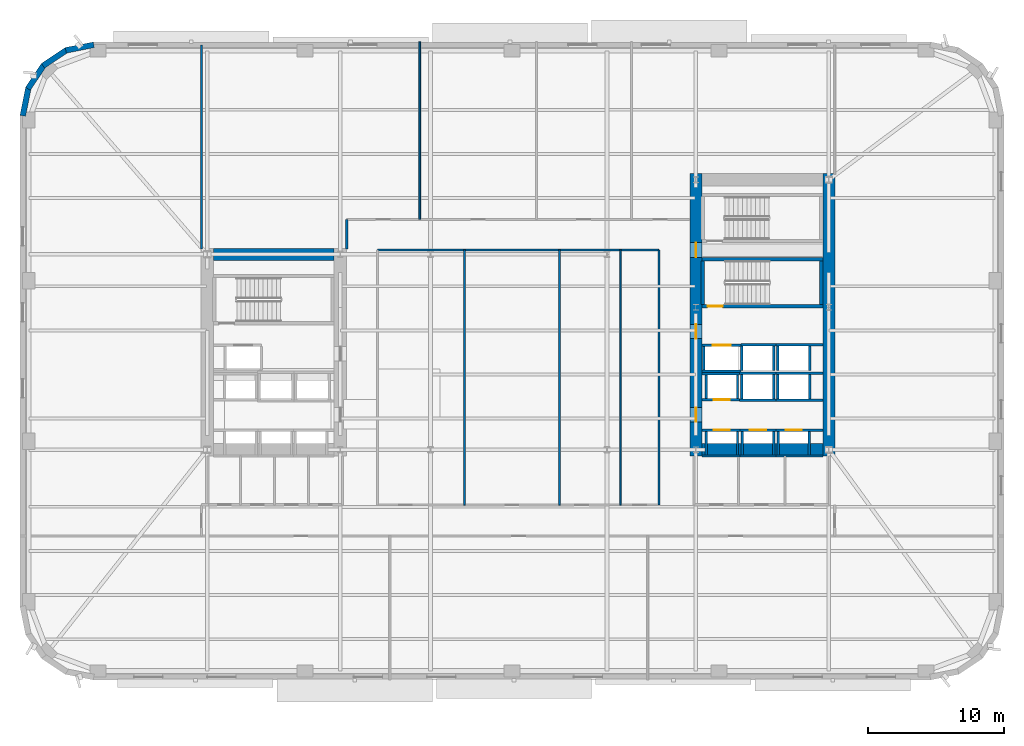
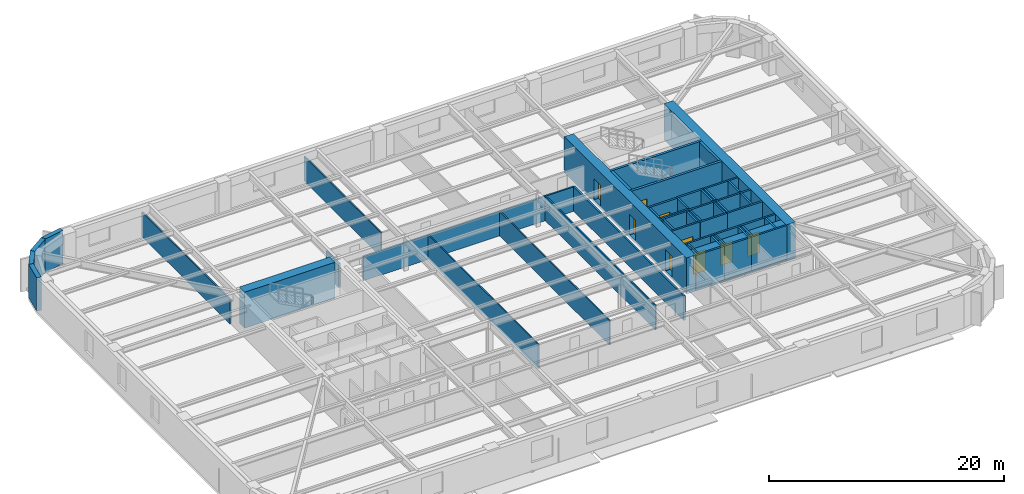
# One storey, part 6 of 15: 53 walls, 9 doors, 9 openings.
"""IFC4 building model written with IfcOpenShell, lengths in metres."""

import ifcopenshell
import ifcopenshell.guid

model = None  # the IFC model being written
_history = None  # IfcOwnerHistory: only IFC2X3 demands one
_inside = {}  # id of a spatial element -> (the spatial element, [elements in it])
_under = {}  # id of a project, library or spatial element -> (it, [spatial elements below it])
_declared = {}  # id of a project -> (the project, [libraries it declares])
_typed = {}  # id of a type object -> (the type object, [elements of that type])
_made_of = {}  # id of a material, layer set ... -> (it, [elements and type objects made of it])


def new_model(schema):
    """Start an empty IFC model of exactly this schema.

    Asked for "IFC4X3", IfcOpenShell would pick the latest addendum, in which some entities
    have other attributes; the version numbers below select the first issue.
    IFC2X3 requires an IfcOwnerHistory on every rooted entity: one is made here for all.
    """
    global model, _history
    if schema == "IFC4X3":
        model = ifcopenshell.file(schema_version=(4, 3, 0, 0))
    else:
        model = ifcopenshell.file(schema=schema)
    _inside.clear()
    _under.clear()
    _declared.clear()
    _typed.clear()
    _made_of.clear()
    _history = None
    if model.schema == "IFC2X3":
        org = make("IfcOrganization", Name="unknown")
        user = make(
            "IfcPersonAndOrganization",
            ThePerson=make("IfcPerson", FamilyName="unknown"),
            TheOrganization=org,
        )
        app = make(
            "IfcApplication",
            ApplicationDeveloper=org,
            Version="unknown",
            ApplicationFullName="unknown",
            ApplicationIdentifier="unknown",
        )
        _history = make(
            "IfcOwnerHistory",
            OwningUser=user,
            OwningApplication=app,
            ChangeAction="ADDED",
            CreationDate=0,
        )
    return model


def make(cls, **values):
    """One entity of the class cls with the attributes given. An attribute that is None is left unset."""
    return model.create_entity(
        cls, **{name: value for name, value in values.items() if value is not None}
    )


def rooted(cls, **values):
    """An entity with a GlobalId (a new one), such as an element, a storey or a relation."""
    return make(cls, GlobalId=ifcopenshell.guid.new(), OwnerHistory=_history, **values)


def si_unit(unit_type, name, prefix=None):
    """IfcSIUnit, for example si_unit("LENGTHUNIT", "METRE", prefix="MILLI")."""
    return make("IfcSIUnit", UnitType=unit_type, Prefix=prefix, Name=name)


def assignment(units):
    """IfcUnitAssignment: the units of a project."""
    return None if units is None else make("IfcUnitAssignment", Units=units)


def point(xyz):
    """IfcCartesianPoint."""
    return None if xyz is None else make("IfcCartesianPoint", Coordinates=xyz)


def direction(xyz):
    """IfcDirection."""
    return None if xyz is None else make("IfcDirection", DirectionRatios=xyz)


def frame(location, z_axis=None, x_axis=None):
    """IfcAxis2Placement3D, a coordinate frame: its origin and axes. An axis left out is left unset."""
    return make(
        "IfcAxis2Placement3D",
        Location=point(location),
        Axis=direction(z_axis),
        RefDirection=direction(x_axis),
    )


def frame_2d(location, x_axis=None):
    """IfcAxis2Placement2D, a coordinate frame in the plane: its origin and x axis."""
    return make(
        "IfcAxis2Placement2D", Location=point(location), RefDirection=direction(x_axis)
    )


def origin():
    """The frame at (0, 0, 0) with its axes left unset."""
    return frame((0.0, 0.0, 0.0))


def place(relative_to, where):
    """IfcLocalPlacement: puts the frame where relative to a parent placement (None: the world)."""
    return make(
        "IfcLocalPlacement", PlacementRelTo=relative_to, RelativePlacement=where
    )


def context(
    kind, dimensions, precision=None, world=None, true_north=None, identifier=None
):
    """IfcGeometricRepresentationContext, for example the 3D "Model" context."""
    return make(
        "IfcGeometricRepresentationContext",
        ContextIdentifier=identifier,
        ContextType=kind,
        CoordinateSpaceDimension=dimensions,
        Precision=precision,
        WorldCoordinateSystem=world,
        TrueNorth=true_north,
    )


def subcontext(parent, identifier, kind, view, scale=None):
    """IfcGeometricRepresentationSubContext, for example "Body" below "Model"."""
    return make(
        "IfcGeometricRepresentationSubContext",
        ContextIdentifier=identifier,
        ContextType=kind,
        ParentContext=parent,
        TargetScale=scale,
        TargetView=view,
    )


def project(units=None, contexts=None):
    """IfcProject with its units and contexts."""
    return rooted(
        "IfcProject",
        Name="project",
        RepresentationContexts=contexts,
        UnitsInContext=assignment(units),
    )


def spatial(cls, under=None, at=None, **own):
    """A site, building, storey or space (cls), placed at a placement, below another one or the project."""
    s = rooted(cls, ObjectPlacement=at, **own)
    if under is not None:
        _under.setdefault(under.id(), (under, []))[1].append(s)
    return s


def profile(cls, at=None, kind="AREA", **sizes):
    """A parametric profile (cls). Its sizes go by their IFC names, for example OverallWidth=200.0."""
    return make(cls, ProfileType=kind, Position=at, **sizes)


def rectangle(**sizes):
    """IfcRectangleProfileDef."""
    return profile("IfcRectangleProfileDef", **sizes)


def extrude(swept, where, along, depth):
    """IfcExtrudedAreaSolid: the profile swept, set in the frame where, extruded along a direction by depth."""
    return make(
        "IfcExtrudedAreaSolid",
        SweptArea=swept,
        Position=where,
        ExtrudedDirection=direction(along),
        Depth=depth,
    )


def shape(context_of_items, identifier, shape_type, items):
    """IfcShapeRepresentation: the items that make up one representation, for example the "Body"."""
    return make(
        "IfcShapeRepresentation",
        ContextOfItems=context_of_items,
        RepresentationIdentifier=identifier,
        RepresentationType=shape_type,
        Items=items,
    )


def material(Name=None, Category=None):
    """IfcMaterial."""
    return make("IfcMaterial", Name=Name, Category=Category)


def layer(
    of_material, thickness, ventilated=None, Name=None, Category=None, Priority=None
):
    """IfcMaterialLayer: one layer of a wall or slab, of a material (None: an air gap)."""
    return make(
        "IfcMaterialLayer",
        Material=of_material,
        LayerThickness=thickness,
        IsVentilated=ventilated,
        Name=Name,
        Category=Category,
        Priority=Priority,
    )


def layer_set(layers, Name=None):
    """IfcMaterialLayerSet."""
    return make("IfcMaterialLayerSet", MaterialLayers=layers, LayerSetName=Name)


def made_of(thing, what):
    """Note that an element or type object is made of a material, layer set ...; save() writes the relation."""
    if what is not None:
        _made_of.setdefault(what.id(), (what, []))[1].append(thing)
    return thing


def type_object(cls, material=None, **own):
    """A type object (cls), such as IfcWallType, which elements share."""
    return made_of(rooted(cls, **own), material)


def element(
    cls,
    number,
    at=None,
    inside=None,
    cuts=None,
    type_object=None,
    material=None,
    context=None,
    identifier="Body",
    shape_type=None,
    held_by="IfcProductDefinitionShape",
    body=None,
    shapes=None,
    **own,
):
    """One element of the class cls, such as IfcWall. Its Tag is "e" and its number.

    at: its placement. inside: the storey or other place that contains it. cuts: it is an
    opening in that element (IfcRelVoidsElement). A single representation is given by context,
    identifier, shape_type and body (its items); several are given by shapes. held_by: the class
    of the entity that holds the representations. save() writes the other relations.
    """
    e = rooted(cls, Tag="e%d" % number, ObjectPlacement=at, **own)
    if body is not None:
        shapes = [shape(context, identifier, shape_type, body)]
    if shapes is not None:
        e.Representation = make(held_by, Representations=shapes)
    if inside is not None:
        _inside.setdefault(inside.id(), (inside, []))[1].append(e)
    if cuts is not None:
        rooted(
            "IfcRelVoidsElement", RelatingBuildingElement=cuts, RelatedOpeningElement=e
        )
    if type_object is not None:
        _typed.setdefault(type_object.id(), (type_object, []))[1].append(e)
    return made_of(e, material)


def fill(opening, filler):
    """IfcRelFillsElement: the door or window that sits in an opening."""
    return rooted(
        "IfcRelFillsElement",
        RelatingOpeningElement=opening,
        RelatedBuildingElement=filler,
    )


def aggregate(whole, parts):
    """IfcRelAggregates: a whole, such as a stair, and the parts it consists of."""
    return rooted("IfcRelAggregates", RelatingObject=whole, RelatedObjects=parts)


def save(model, path):
    """Write the relations noted so far, then the file.

    IfcRelAggregates (storeys below a building ...), IfcRelContainedInSpatialStructure (elements
    in a storey), IfcRelDefinesByType, IfcRelAssociatesMaterial and IfcRelDeclares: one each for
    every whole, place, type object, material and project.
    """
    for whole, parts in _under.values():
        aggregate(whole, parts)
    for where, things in _inside.values():
        rooted(
            "IfcRelContainedInSpatialStructure",
            RelatedElements=things,
            RelatingStructure=where,
        )
    for kind, things in _typed.values():
        rooted("IfcRelDefinesByType", RelatedObjects=things, RelatingType=kind)
    for what, things in _made_of.values():
        rooted("IfcRelAssociatesMaterial", RelatedObjects=things, RelatingMaterial=what)
    for by, libraries in _declared.values():
        rooted("IfcRelDeclares", RelatingContext=by, RelatedDefinitions=libraries)
    model.write(path)


model = new_model("IFC4")

# Units and contexts
model_context = context("Model", 3, precision=1e-05, world=origin(), true_north=direction((0.0, 1.0)))
body_context = subcontext(model_context, "Body", "Model", "MODEL_VIEW")
ifc_project = project(units=[si_unit("LENGTHUNIT", "METRE"), si_unit("AREAUNIT", "SQUARE_METRE"), si_unit("VOLUMEUNIT", "CUBIC_METRE"), si_unit("PLANEANGLEUNIT", "RADIAN"), si_unit("MASSUNIT", "GRAM", prefix="KILO")], contexts=[model_context])

# Site, building, storey
site_placement = place(None, origin())
site = spatial("IfcSite", under=ifc_project, at=site_placement, CompositionType="ELEMENT")
building_placement = place(site_placement, origin())
building = spatial("IfcBuilding", under=site, at=building_placement, Name="Kolvaren Arena Tower", CompositionType="ELEMENT")
storey_placement = place(building_placement, frame((0.0, 0.0, 60.75)))
storey = spatial("IfcBuildingStorey", under=building, at=storey_placement, Name="L12", CompositionType="ELEMENT", Elevation=60.75)

# Walls
ifc_material_1 = material(Name="Gypsum board acoustic assembly", Category="gypsum")
ifc_layer_1 = layer(ifc_material_1, 0.159912109375)
ifc_layer_set_1 = layer_set([ifc_layer_1], Name="Gypsum board acoustic assembly")
wall_type_1 = type_object("IfcWallType", Name="CORR-160", PredefinedType="PARTITIONING", material=ifc_layer_set_1)
wall_1_placement = place(storey_placement, frame((24.820068359375, 34.25, 0.0), z_axis=(0.0, 0.0, 1.0), x_axis=(0.0, 1.0, 0.0)))
element("IfcWall", 1, at=wall_1_placement, inside=storey, type_object=wall_type_1, Name="Interior Partition Wall (L12)", PredefinedType="PARTITIONING", context=body_context, shape_type="SweptSolid", body=[
    extrude(rectangle(XDim=2.169921875, YDim=0.159912109375, at=frame_2d((1.0849609375, 0.0))), origin(), (0.0, 0.0, 1.0), 2.5400390625),
])
wall_2_placement = place(storey_placement, frame((27.080078125, 34.179931640625, 0.0), z_axis=(0.0, 0.0, 1.0), x_axis=(1.0, 0.0, 0.0)))
element("IfcWall", 2, at=wall_2_placement, inside=storey, type_object=wall_type_1, Name="Interior Partition Wall (L12)", PredefinedType="PARTITIONING", context=body_context, shape_type="SweptSolid", body=[
    extrude(rectangle(XDim=20.739990234375, YDim=0.159912109375, at=frame_2d((10.3701171875, 0.0))), origin(), (0.0, 0.0, 1.0), 2.5400390625),
])
wall_3_placement = place(storey_placement, frame((47.820068359375, 15.3798828125, 0.0), z_axis=(0.0, 0.0, 1.0), x_axis=(0.0, 1.0, 0.0)))
element("IfcWall", 3, at=wall_3_placement, inside=storey, type_object=wall_type_1, Name="Interior Partition Wall (L12)", PredefinedType="PARTITIONING", context=body_context, shape_type="SweptSolid", body=[
    extrude(rectangle(XDim=18.800048828125, YDim=0.159912109375, at=frame_2d((9.39990234375, 0.0))), origin(), (0.0, 0.0, 1.0), 2.5400390625),
])
ifc_material_2 = material(Name="Concrete 80 MPa", Category="concrete")
ifc_layer_2 = layer(ifc_material_2, 0.89990234375)
ifc_layer_set_2 = layer_set([ifc_layer_2], Name="Concrete 80 MPa")
wall_type_2 = type_object("IfcWallType", Name="CWALL-900", PredefinedType="SHEAR", material=ifc_layer_set_2)
wall_4_placement = place(storey_placement, frame((15.0, 33.85009765625, -0.27001953125), z_axis=(0.0, 0.0, 1.0), x_axis=(1.0, 0.0, 0.0)))
element("IfcWall", 4, at=wall_4_placement, inside=storey, type_object=wall_type_2, Name="Core Shear Wall WC-NORTH (L12)", PredefinedType="SHEAR", context=body_context, shape_type="SweptSolid", body=[
    extrude(rectangle(XDim=8.89990234375, YDim=0.89990234375, at=frame_2d((4.449951171875, 0.0))), origin(), (0.0, 0.0, 1.0), 3.75),
])

# Wall, openings, doors
wall_5_placement = place(storey_placement, frame((50.550048828125, 19.0, -0.27001953125), z_axis=(0.0, 0.0, 1.0), x_axis=(0.0, 1.0, 0.0)))
wall_5 = element("IfcWall", 5, at=wall_5_placement, inside=storey, type_object=wall_type_2, Name="Core Shear Wall EC-WEST (L12)", PredefinedType="SHEAR", context=body_context, shape_type="SweptSolid", body=[
    extrude(rectangle(XDim=20.800048828125, YDim=0.89990234375, at=frame_2d((10.39990234375, 0.0))), origin(), (0.0, 0.0, 1.0), 3.75),
])
opening_1_placement = place(wall_5_placement, frame((2.5, 0.0, 0.27001953125)))
opening_1 = element("IfcOpeningElement", 6, at=opening_1_placement, cuts=wall_5, Name="Opening D04", PredefinedType="OPENING", context=body_context, shape_type="SweptSolid", body=[
    extrude(rectangle(XDim=1.050048828125, YDim=2.14990234375, at=frame_2d((0.52490234375, 1.074951171875))), frame((0.0, 0.4599609375, 0.0), z_axis=(0.0, -1.0, 0.0), x_axis=(1.0, 0.0, 0.0)), (0.0, 0.0, 1.0), 0.919921875),
])
opening_2_placement = place(wall_5_placement, frame((8.64990234375, 0.0, 0.27001953125)))
opening_2 = element("IfcOpeningElement", 7, at=opening_2_placement, cuts=wall_5, Name="Opening D04", PredefinedType="OPENING", context=body_context, shape_type="SweptSolid", body=[
    extrude(rectangle(XDim=1.050048828125, YDim=2.14990234375, at=frame_2d((0.52490234375, 1.074951171875))), frame((0.0, 0.4599609375, 0.0), z_axis=(0.0, -1.0, 0.0), x_axis=(1.0, 0.0, 0.0)), (0.0, 0.0, 1.0), 0.919921875),
])
opening_3_placement = place(wall_5_placement, frame((14.6201171875, 0.0, 0.27001953125)))
opening_3 = element("IfcOpeningElement", 8, at=opening_3_placement, cuts=wall_5, Name="Opening D03", PredefinedType="OPENING", context=body_context, shape_type="SweptSolid", body=[
    extrude(rectangle(XDim=1.10009765625, YDim=2.14990234375, at=frame_2d((0.550048828125, 1.074951171875))), frame((0.0, 0.4599609375, 0.0), z_axis=(0.0, -1.0, 0.0), x_axis=(1.0, 0.0, 0.0)), (0.0, 0.0, 1.0), 0.919921875),
])
ifc_material_3 = material(Name="Fire-rated steel lobby door", Category="steel")
door_type_1 = type_object("IfcDoorType", Name="DOOR-FF-105", OperationType="NOTDEFINED", PredefinedType="DOOR", material=ifc_material_3)
door_1_placement = place(opening_1_placement, origin())
door_1 = element("IfcDoor", 9, at=door_1_placement, inside=storey, type_object=door_type_1, Name="East Lift Lobby Fire Door (L12)", OperationType="SINGLE_SWING_RIGHT", OverallHeight=2.14990234375, OverallWidth=1.050048828125, PredefinedType="DOOR", context=body_context, shape_type="SweptSolid", body=[
    extrude(rectangle(XDim=1.050048828125, YDim=2.14990234375, at=frame_2d((0.52490234375, 1.074951171875))), frame((0.0, 0.02490234375, 0.0), z_axis=(0.0, -1.0, 0.0), x_axis=(1.0, 0.0, 0.0)), (0.0, 0.0, 1.0), 0.050048828125),
])
fill(opening_1, door_1)
door_2_placement = place(opening_2_placement, origin())
door_2 = element("IfcDoor", 10, at=door_2_placement, inside=storey, type_object=door_type_1, Name="East Firefighter Vestibule Door (L12)", OperationType="SINGLE_SWING_LEFT", OverallHeight=2.14990234375, OverallWidth=1.050048828125, PredefinedType="DOOR", context=body_context, shape_type="SweptSolid", body=[
    extrude(rectangle(XDim=1.050048828125, YDim=2.14990234375, at=frame_2d((0.52490234375, 1.074951171875))), frame((0.0, 0.02490234375, 0.0), z_axis=(0.0, -1.0, 0.0), x_axis=(1.0, 0.0, 0.0)), (0.0, 0.0, 1.0), 0.050048828125),
])
fill(opening_2, door_2)
ifc_material_4 = material(Name="Fire-rated steel exit stair door", Category="steel")
door_type_2 = type_object("IfcDoorType", Name="DOOR-ST-110", OperationType="NOTDEFINED", PredefinedType="DOOR", material=ifc_material_4)
door_3_placement = place(opening_3_placement, origin())
door_3 = element("IfcDoor", 11, at=door_3_placement, inside=storey, type_object=door_type_2, Name="Stair ST-E2 Vestibule Fire Door (L12)", OperationType="SINGLE_SWING_LEFT", OverallHeight=2.14990234375, OverallWidth=1.10009765625, PredefinedType="DOOR", context=body_context, shape_type="SweptSolid", body=[
    extrude(rectangle(XDim=1.10009765625, YDim=2.14990234375, at=frame_2d((0.550048828125, 1.074951171875))), frame((0.0, 0.02490234375, 0.0), z_axis=(0.0, -1.0, 0.0), x_axis=(1.0, 0.0, 0.0)), (0.0, 0.0, 1.0), 0.050048828125),
])
fill(opening_3, door_3)

# Walls
wall_6_placement = place(storey_placement, frame((60.35009765625, 19.0, -0.27001953125), z_axis=(0.0, 0.0, 1.0), x_axis=(0.0, 1.0, 0.0)))
element("IfcWall", 12, at=wall_6_placement, inside=storey, type_object=wall_type_2, Name="Core Shear Wall EC-EAST (L12)", PredefinedType="SHEAR", context=body_context, shape_type="SweptSolid", body=[
    extrude(rectangle(XDim=20.800048828125, YDim=0.89990234375, at=frame_2d((10.39990234375, 0.0))), origin(), (0.0, 0.0, 1.0), 3.75),
])
wall_7_placement = place(storey_placement, frame((51.0, 19.449951171875, -0.27001953125), z_axis=(0.0, 0.0, 1.0), x_axis=(1.0, 0.0, 0.0)))
element("IfcWall", 13, at=wall_7_placement, inside=storey, type_object=wall_type_2, Name="Core Shear Wall EC-SOUTH (L12)", PredefinedType="SHEAR", context=body_context, shape_type="SweptSolid", body=[
    extrude(rectangle(XDim=8.89990234375, YDim=0.89990234375, at=frame_2d((4.449951171875, 0.0))), origin(), (0.0, 0.0, 1.0), 3.75),
])
ifc_material_5 = material(Name="Precast concrete C50/60", Category="concrete")
ifc_layer_3 = layer(ifc_material_5, 0.419921875)
ifc_layer_set_3 = layer_set([ifc_layer_3], Name="Precast concrete C50/60")
wall_type_3 = type_object("IfcWallType", Name="EXT-PIER1", PredefinedType="SOLIDWALL", material=ifc_layer_set_3)
for number, where, z_axis, x_axis, name in (
    (14, (4.12451171875, 48.8828125, 0.0), (0.0, 0.0, 1.0), (0.9807762837, 0.195135546048, 0.0), "Exterior Precast Masonry-Frame Wall (L12)"),
    (15, (2.4482421875, 47.743896484375, 0.0), (0.0, 0.0, 1.0), (0.831515102434, 0.555502146192, 0.0), "Exterior Precast Masonry-Frame Wall (L12)"),
    (16, (1.335693359375, 46.0498046875, 0.0), (0.0, 0.0, 1.0), (0.555502146192, 0.831515102434, 0.0), "Exterior Precast Masonry-Frame Wall (L12)"),
    (17, (0.9560546875, 44.05908203125, 0.0), (0.0, 0.0, 1.0), (0.195135546048, 0.9807762837, 0.0), "Exterior Precast Masonry-Frame Wall (L12)"),
):
    element("IfcWall", number, at=place(storey_placement, frame(where, z_axis=z_axis, x_axis=x_axis)), inside=storey, type_object=wall_type_3, Name=name, PredefinedType="SOLIDWALL", context=body_context, shape_type="SweptSolid", body=[
        extrude(rectangle(XDim=2.10693359375, YDim=0.419921875, at=frame_2d((1.053466796875, 0.0))), origin(), (0.0, 0.0, 1.0), 3.47998046875),
    ])
ifc_material_6 = material(Name="Gypsum board partition assembly", Category="gypsum")
ifc_layer_4 = layer(ifc_material_6, 0.114990234375)
ifc_layer_set_4 = layer_set([ifc_layer_4], Name="Gypsum board partition assembly")
wall_type_4 = type_object("IfcWallType", Name="PART-115", PredefinedType="PARTITIONING", material=ifc_layer_set_4)
for number, where, z_axis, x_axis, name in (
    (18, (33.5, 15.3798828125, 0.0), (0.0, 0.0, 1.0), (0.0, 1.0, 0.0), "Interior Partition Wall (L12)"),
    (19, (40.5, 15.3798828125, 0.0), (0.0, 0.0, 1.0), (0.0, 1.0, 0.0), "Interior Partition Wall (L12)"),
    (20, (45.0, 15.3798828125, 0.0), (0.0, 0.0, 1.0), (0.0, 1.0, 0.0), "Interior Partition Wall (L12)"),
):
    element("IfcWall", number, at=place(storey_placement, frame(where, z_axis=z_axis, x_axis=x_axis)), inside=storey, type_object=wall_type_4, Name=name, PredefinedType="PARTITIONING", context=body_context, shape_type="SweptSolid", body=[
        extrude(rectangle(XDim=18.800048828125, YDim=0.114990234375, at=frame_2d((9.39990234375, 0.0))), origin(), (0.0, 0.0, 1.0), 2.5400390625),
    ])
ifc_layer_5 = layer(ifc_material_6, 0.135009765625)
ifc_layer_set_5 = layer_set([ifc_layer_5], Name="Gypsum board partition assembly")
wall_type_5 = type_object("IfcWallType", Name="PART-135", PredefinedType="PARTITIONING", material=ifc_layer_set_5)
wall_8_placement = place(storey_placement, frame((30.199951171875, 36.419921875, 0.0), z_axis=(0.0, 0.0, 1.0), x_axis=(0.0, 1.0, 0.0)))
element("IfcWall", 21, at=wall_8_placement, inside=storey, type_object=wall_type_5, Name="Interior Partition Wall (L12)", PredefinedType="PARTITIONING", context=body_context, shape_type="SweptSolid", body=[
    extrude(rectangle(XDim=13.080078125, YDim=0.135009765625, at=frame_2d((6.5400390625, 0.0))), origin(), (0.0, 0.0, 1.0), 2.5400390625),
])
wall_9_placement = place(storey_placement, frame((14.1201171875, 34.25, 0.0), z_axis=(0.0, 0.0, 1.0), x_axis=(0.0, 1.0, 0.0)))
element("IfcWall", 22, at=wall_9_placement, inside=storey, type_object=wall_type_5, Name="Interior Partition Wall (L12)", PredefinedType="PARTITIONING", context=body_context, shape_type="SweptSolid", body=[
    extrude(rectangle(XDim=15.010009765625, YDim=0.135009765625, at=frame_2d((7.5048828125, 0.0))), origin(), (0.0, 0.0, 1.0), 2.5400390625),
])

# Wall, opening, door
ifc_material_7 = material(Name="Concrete 45 MPa", Category="concrete")
ifc_layer_6 = layer(ifc_material_7, 0.25)
ifc_layer_set_6 = layer_set([ifc_layer_6], Name="Concrete 45 MPa")
wall_type_6 = type_object("IfcWallType", Name="SHAFT-250", PredefinedType="SOLIDWALL", material=ifc_layer_set_6)
wall_10_placement = place(storey_placement, frame((59.89990234375, 30.030029296875, 0.0), z_axis=(0.0, 0.0, 1.0), x_axis=(-1.0, 0.0, 0.0)))
wall_10 = element("IfcWall", 23, at=wall_10_placement, inside=storey, type_object=wall_type_6, Name="Core Shaft Wall (L12)", PredefinedType="SOLIDWALL", context=body_context, shape_type="SweptSolid", body=[
    extrude(rectangle(XDim=8.89990234375, YDim=0.239990234375, at=frame_2d((4.449951171875, 0.0))), origin(), (0.0, 0.0, 1.0), 3.47998046875),
])
opening_4_placement = place(wall_10_placement, frame((7.3798828125, 0.0, 0.0)))
opening_4 = element("IfcOpeningElement", 24, at=opening_4_placement, cuts=wall_10, Name="Opening D03", PredefinedType="OPENING", context=body_context, shape_type="SweptSolid", body=[
    extrude(rectangle(XDim=1.10009765625, YDim=2.14990234375, at=frame_2d((0.550048828125, 1.074951171875))), frame((0.0, 0.1298828125, 0.0), z_axis=(0.0, -1.0, 0.0), x_axis=(1.0, 0.0, 0.0)), (0.0, 0.0, 1.0), 0.260009765625),
])
door_4_placement = place(opening_4_placement, origin())
door_4 = element("IfcDoor", 25, at=door_4_placement, inside=storey, type_object=door_type_2, Name="Stair ST-E1 Fire Door (L12)", OperationType="SINGLE_SWING_LEFT", OverallHeight=2.14990234375, OverallWidth=1.10009765625, PredefinedType="DOOR", context=body_context, shape_type="SweptSolid", body=[
    extrude(rectangle(XDim=1.10009765625, YDim=2.14990234375, at=frame_2d((0.550048828125, 1.074951171875))), frame((0.0, 0.02490234375, 0.0), z_axis=(0.0, -1.0, 0.0), x_axis=(1.0, 0.0, 0.0)), (0.0, 0.0, 1.0), 0.050048828125),
])
fill(opening_4, door_4)

# Walls
wall_11_placement = place(storey_placement, frame((51.0, 33.5, 0.0), z_axis=(0.0, 0.0, 1.0), x_axis=(1.0, 0.0, 0.0)))
element("IfcWall", 26, at=wall_11_placement, inside=storey, type_object=wall_type_6, Name="Core Shaft Wall (L12)", PredefinedType="SOLIDWALL", context=body_context, shape_type="SweptSolid", body=[
    extrude(rectangle(XDim=8.89990234375, YDim=0.239990234375, at=frame_2d((4.449951171875, 0.0))), origin(), (0.0, 0.0, 1.0), 3.47998046875),
])
for number, where, z_axis, x_axis, name in (
    (27, (51.06005859375, 30.14990234375, 0.0), (0.0, 0.0, 1.0), (0.0, 1.0, 0.0), "Core Shaft Wall (L12)"),
    (28, (59.780029296875, 30.14990234375, 0.0), (0.0, 0.0, 1.0), (0.0, 1.0, 0.0), "Core Shaft Wall (L12)"),
):
    element("IfcWall", number, at=place(storey_placement, frame(where, z_axis=z_axis, x_axis=x_axis)), inside=storey, type_object=wall_type_6, Name=name, PredefinedType="SOLIDWALL", context=body_context, shape_type="SweptSolid", body=[
        extrude(rectangle(XDim=3.22998046875, YDim=0.239990234375, at=frame_2d((1.614990234375, 0.0))), origin(), (0.0, 0.0, 1.0), 3.47998046875),
    ])

# Wall, opening, door
wall_12_placement = place(storey_placement, frame((51.0, 20.905029296875, 0.0), z_axis=(0.0, 0.0, 1.0), x_axis=(1.0, 0.0, 0.0)))
wall_12 = element("IfcWall", 29, at=wall_12_placement, inside=storey, type_object=wall_type_6, Name="Core Shaft Wall (L12)", PredefinedType="SOLIDWALL", context=body_context, shape_type="SweptSolid", body=[
    extrude(rectangle(XDim=2.7900390625, YDim=0.179931640625, at=frame_2d((1.39501953125, 0.0))), origin(), (0.0, 0.0, 1.0), 3.47998046875),
])
opening_5_placement = place(wall_12_placement, frame((0.860107421875, 0.0, 0.0)))
opening_5 = element("IfcOpeningElement", 30, at=opening_5_placement, cuts=wall_12, Name="Opening LD1", PredefinedType="OPENING", context=body_context, shape_type="SweptSolid", body=[
    extrude(rectangle(XDim=1.199951171875, YDim=2.199951171875, at=frame_2d((0.60009765625, 1.10009765625))), frame((0.0, 0.099853515625, 0.0), z_axis=(0.0, -1.0, 0.0), x_axis=(1.0, 0.0, 0.0)), (0.0, 0.0, 1.0), 0.199951171875),
])
ifc_material_8 = material(Name="Stainless steel passenger lift landing door", Category="steel")
door_type_3 = type_object("IfcDoorType", Name="DOOR-LD-120", OperationType="DOUBLE_DOOR_SLIDING", PredefinedType="DOOR", material=ifc_material_8)
door_5_placement = place(opening_5_placement, origin())
door_5 = element("IfcDoor", 31, at=door_5_placement, inside=storey, type_object=door_type_3, Name="Lift EL-LR1 Landing Door (L12)", OperationType="DOUBLE_DOOR_SLIDING", OverallHeight=2.199951171875, OverallWidth=1.199951171875, PredefinedType="DOOR", context=body_context, shape_type="SweptSolid", body=[
    extrude(rectangle(XDim=1.199951171875, YDim=2.199951171875, at=frame_2d((0.60009765625, 1.10009765625))), frame((0.0, 0.02490234375, 0.0), z_axis=(0.0, -1.0, 0.0), x_axis=(1.0, 0.0, 0.0)), (0.0, 0.0, 1.0), 0.050048828125),
])
fill(opening_5, door_5)

# Walls
wall_13_placement = place(storey_placement, frame((51.0, 18.9951171875, 0.0), z_axis=(0.0, 0.0, 1.0), x_axis=(1.0, 0.0, 0.0)))
element("IfcWall", 32, at=wall_13_placement, inside=storey, type_object=wall_type_6, Name="Core Shaft Wall (L12)", PredefinedType="SOLIDWALL", context=body_context, shape_type="SweptSolid", body=[
    extrude(rectangle(XDim=2.7900390625, YDim=0.179931640625, at=frame_2d((1.39501953125, 0.0))), origin(), (0.0, 0.0, 1.0), 3.47998046875),
])
for number, where, z_axis, x_axis, name in (
    (33, (51.304931640625, 19.0849609375, 0.0), (0.0, 0.0, 1.0), (0.0, 1.0, 0.0), "Core Shaft Wall (L12)"),
    (34, (53.614990234375, 19.0849609375, 0.0), (0.0, 0.0, 1.0), (0.0, 1.0, 0.0), "Core Shaft Wall (L12)"),
):
    element("IfcWall", number, at=place(storey_placement, frame(where, z_axis=z_axis, x_axis=x_axis)), inside=storey, type_object=wall_type_6, Name=name, PredefinedType="SOLIDWALL", context=body_context, shape_type="SweptSolid", body=[
        extrude(rectangle(XDim=1.72998046875, YDim=0.179931640625, at=frame_2d((0.864990234375, 0.0))), origin(), (0.0, 0.0, 1.0), 3.47998046875),
    ])

# Wall, opening, door
wall_14_placement = place(storey_placement, frame((53.7900390625, 20.905029296875, 0.0), z_axis=(0.0, 0.0, 1.0), x_axis=(1.0, 0.0, 0.0)))
wall_14 = element("IfcWall", 35, at=wall_14_placement, inside=storey, type_object=wall_type_6, Name="Core Shaft Wall (L12)", PredefinedType="SOLIDWALL", context=body_context, shape_type="SweptSolid", body=[
    extrude(rectangle(XDim=2.64990234375, YDim=0.179931640625, at=frame_2d((1.324951171875, 0.0))), origin(), (0.0, 0.0, 1.0), 3.47998046875),
])
opening_6_placement = place(wall_14_placement, frame((0.72998046875, 0.0, 0.0)))
opening_6 = element("IfcOpeningElement", 36, at=opening_6_placement, cuts=wall_14, Name="Opening LD1", PredefinedType="OPENING", context=body_context, shape_type="SweptSolid", body=[
    extrude(rectangle(XDim=1.199951171875, YDim=2.199951171875, at=frame_2d((0.60009765625, 1.10009765625))), frame((0.0, 0.099853515625, 0.0), z_axis=(0.0, -1.0, 0.0), x_axis=(1.0, 0.0, 0.0)), (0.0, 0.0, 1.0), 0.199951171875),
])
door_6_placement = place(opening_6_placement, origin())
door_6 = element("IfcDoor", 37, at=door_6_placement, inside=storey, type_object=door_type_3, Name="Lift EL-LR2 Landing Door (L12)", OperationType="DOUBLE_DOOR_SLIDING", OverallHeight=2.199951171875, OverallWidth=1.199951171875, PredefinedType="DOOR", context=body_context, shape_type="SweptSolid", body=[
    extrude(rectangle(XDim=1.199951171875, YDim=2.199951171875, at=frame_2d((0.60009765625, 1.10009765625))), frame((0.0, 0.02490234375, 0.0), z_axis=(0.0, -1.0, 0.0), x_axis=(1.0, 0.0, 0.0)), (0.0, 0.0, 1.0), 0.050048828125),
])
fill(opening_6, door_6)

# Walls
wall_15_placement = place(storey_placement, frame((53.7900390625, 18.9951171875, 0.0), z_axis=(0.0, 0.0, 1.0), x_axis=(1.0, 0.0, 0.0)))
element("IfcWall", 38, at=wall_15_placement, inside=storey, type_object=wall_type_6, Name="Core Shaft Wall (L12)", PredefinedType="SOLIDWALL", context=body_context, shape_type="SweptSolid", body=[
    extrude(rectangle(XDim=2.64990234375, YDim=0.179931640625, at=frame_2d((1.324951171875, 0.0))), origin(), (0.0, 0.0, 1.0), 3.47998046875),
])
for number, where, z_axis, x_axis, name in (
    (39, (53.965087890625, 19.0849609375, 0.0), (0.0, 0.0, 1.0), (0.0, 1.0, 0.0), "Core Shaft Wall (L12)"),
    (40, (56.27490234375, 19.0849609375, 0.0), (0.0, 0.0, 1.0), (0.0, 1.0, 0.0), "Core Shaft Wall (L12)"),
):
    element("IfcWall", number, at=place(storey_placement, frame(where, z_axis=z_axis, x_axis=x_axis)), inside=storey, type_object=wall_type_6, Name=name, PredefinedType="SOLIDWALL", context=body_context, shape_type="SweptSolid", body=[
        extrude(rectangle(XDim=1.72998046875, YDim=0.179931640625, at=frame_2d((0.864990234375, 0.0))), origin(), (0.0, 0.0, 1.0), 3.47998046875),
    ])

# Wall, opening, door
wall_16_placement = place(storey_placement, frame((56.43994140625, 20.905029296875, 0.0), z_axis=(0.0, 0.0, 1.0), x_axis=(1.0, 0.0, 0.0)))
wall_16 = element("IfcWall", 41, at=wall_16_placement, inside=storey, type_object=wall_type_6, Name="Core Shaft Wall (L12)", PredefinedType="SOLIDWALL", context=body_context, shape_type="SweptSolid", body=[
    extrude(rectangle(XDim=3.4599609375, YDim=0.179931640625, at=frame_2d((1.72998046875, 0.0))), origin(), (0.0, 0.0, 1.0), 3.47998046875),
])
opening_7_placement = place(wall_16_placement, frame((0.719970703125, 0.0, 0.0)))
opening_7 = element("IfcOpeningElement", 42, at=opening_7_placement, cuts=wall_16, Name="Opening LD1", PredefinedType="OPENING", context=body_context, shape_type="SweptSolid", body=[
    extrude(rectangle(XDim=1.199951171875, YDim=2.199951171875, at=frame_2d((0.60009765625, 1.10009765625))), frame((0.0, 0.099853515625, 0.0), z_axis=(0.0, -1.0, 0.0), x_axis=(1.0, 0.0, 0.0)), (0.0, 0.0, 1.0), 0.199951171875),
])
door_7_placement = place(opening_7_placement, origin())
door_7 = element("IfcDoor", 43, at=door_7_placement, inside=storey, type_object=door_type_3, Name="Lift EL-LR3 Landing Door (L12)", OperationType="DOUBLE_DOOR_SLIDING", OverallHeight=2.199951171875, OverallWidth=1.199951171875, PredefinedType="DOOR", context=body_context, shape_type="SweptSolid", body=[
    extrude(rectangle(XDim=1.199951171875, YDim=2.199951171875, at=frame_2d((0.60009765625, 1.10009765625))), frame((0.0, 0.02490234375, 0.0), z_axis=(0.0, -1.0, 0.0), x_axis=(1.0, 0.0, 0.0)), (0.0, 0.0, 1.0), 0.050048828125),
])
fill(opening_7, door_7)

# Walls
wall_17_placement = place(storey_placement, frame((56.43994140625, 18.9951171875, 0.0), z_axis=(0.0, 0.0, 1.0), x_axis=(1.0, 0.0, 0.0)))
element("IfcWall", 44, at=wall_17_placement, inside=storey, type_object=wall_type_6, Name="Core Shaft Wall (L12)", PredefinedType="SOLIDWALL", context=body_context, shape_type="SweptSolid", body=[
    extrude(rectangle(XDim=3.4599609375, YDim=0.179931640625, at=frame_2d((1.72998046875, 0.0))), origin(), (0.0, 0.0, 1.0), 3.47998046875),
])
for number, where, z_axis, x_axis, name in (
    (45, (56.60498046875, 19.0849609375, 0.0), (0.0, 0.0, 1.0), (0.0, 1.0, 0.0), "Core Shaft Wall (L12)"),
    (46, (58.9150390625, 19.0849609375, 0.0), (0.0, 0.0, 1.0), (0.0, 1.0, 0.0), "Core Shaft Wall (L12)"),
):
    element("IfcWall", number, at=place(storey_placement, frame(where, z_axis=z_axis, x_axis=x_axis)), inside=storey, type_object=wall_type_6, Name=name, PredefinedType="SOLIDWALL", context=body_context, shape_type="SweptSolid", body=[
        extrude(rectangle(XDim=1.72998046875, YDim=0.179931640625, at=frame_2d((0.864990234375, 0.0))), origin(), (0.0, 0.0, 1.0), 3.47998046875),
    ])
wall_18_placement = place(storey_placement, frame((51.0, 25.054931640625, 0.0), z_axis=(0.0, 0.0, 1.0), x_axis=(1.0, 0.0, 0.0)))
element("IfcWall", 47, at=wall_18_placement, inside=storey, type_object=wall_type_6, Name="Core Shaft Wall (L12)", PredefinedType="SOLIDWALL", context=body_context, shape_type="SweptSolid", body=[
    extrude(rectangle(XDim=2.777587890625, YDim=0.179931640625, at=frame_2d((1.388671875, 0.0))), origin(), (0.0, 0.0, 1.0), 3.47998046875),
])

# Wall, opening, door
wall_19_placement = place(storey_placement, frame((51.0, 23.14501953125, 0.0), z_axis=(0.0, 0.0, 1.0), x_axis=(1.0, 0.0, 0.0)))
wall_19 = element("IfcWall", 48, at=wall_19_placement, inside=storey, type_object=wall_type_6, Name="Core Shaft Wall (L12)", PredefinedType="SOLIDWALL", context=body_context, shape_type="SweptSolid", body=[
    extrude(rectangle(XDim=2.777587890625, YDim=0.179931640625, at=frame_2d((1.388671875, 0.0))), origin(), (0.0, 0.0, 1.0), 3.47998046875),
])
opening_8_placement = place(wall_19_placement, frame((0.860107421875, 0.0, 0.0)))
opening_8 = element("IfcOpeningElement", 49, at=opening_8_placement, cuts=wall_19, Name="Opening LD1", PredefinedType="OPENING", context=body_context, shape_type="SweptSolid", body=[
    extrude(rectangle(XDim=1.199951171875, YDim=2.199951171875, at=frame_2d((0.60009765625, 1.10009765625))), frame((0.0, 0.099853515625, 0.0), z_axis=(0.0, -1.0, 0.0), x_axis=(1.0, 0.0, 0.0)), (0.0, 0.0, 1.0), 0.199951171875),
])
door_8_placement = place(opening_8_placement, origin())
door_8 = element("IfcDoor", 50, at=door_8_placement, inside=storey, type_object=door_type_3, Name="Lift EL-LR4 Landing Door (L12)", OperationType="DOUBLE_DOOR_SLIDING", OverallHeight=2.199951171875, OverallWidth=1.199951171875, PredefinedType="DOOR", context=body_context, shape_type="SweptSolid", body=[
    extrude(rectangle(XDim=1.199951171875, YDim=2.199951171875, at=frame_2d((0.60009765625, 1.10009765625))), frame((0.0, 0.02490234375, 0.0), z_axis=(0.0, -1.0, 0.0), x_axis=(1.0, 0.0, 0.0)), (0.0, 0.0, 1.0), 0.050048828125),
])
fill(opening_8, door_8)

# Walls
for number, where, z_axis, x_axis, name in (
    (51, (51.304931640625, 23.235107421875, 0.0), (0.0, 0.0, 1.0), (0.0, 1.0, 0.0), "Core Shaft Wall (L12)"),
    (52, (53.614990234375, 23.235107421875, 0.0), (0.0, 0.0, 1.0), (0.0, 1.0, 0.0), "Core Shaft Wall (L12)"),
):
    element("IfcWall", number, at=place(storey_placement, frame(where, z_axis=z_axis, x_axis=x_axis)), inside=storey, type_object=wall_type_6, Name=name, PredefinedType="SOLIDWALL", context=body_context, shape_type="SweptSolid", body=[
        extrude(rectangle(XDim=1.72998046875, YDim=0.179931640625, at=frame_2d((0.864990234375, 0.0))), origin(), (0.0, 0.0, 1.0), 3.47998046875),
    ])
for number, where, z_axis, x_axis, name in (
    (53, (53.777587890625, 25.10498046875, 0.0), (0.0, 0.0, 1.0), (1.0, 0.0, 0.0), "Core Shaft Wall (L12)"),
    (54, (53.777587890625, 23.094970703125, 0.0), (0.0, 0.0, 1.0), (1.0, 0.0, 0.0), "Core Shaft Wall (L12)"),
):
    element("IfcWall", number, at=place(storey_placement, frame(where, z_axis=z_axis, x_axis=x_axis)), inside=storey, type_object=wall_type_6, Name=name, PredefinedType="SOLIDWALL", context=body_context, shape_type="SweptSolid", body=[
        extrude(rectangle(XDim=2.662353515625, YDim=0.179931640625, at=frame_2d((1.3310546875, 0.0))), origin(), (0.0, 0.0, 1.0), 3.47998046875),
    ])
for number, where, z_axis, x_axis, name in (
    (55, (53.93994140625, 23.18505859375, 0.0), (0.0, 0.0, 1.0), (0.0, 1.0, 0.0), "Core Shaft Wall (L12)"),
    (56, (56.300048828125, 23.18505859375, 0.0), (0.0, 0.0, 1.0), (0.0, 1.0, 0.0), "Core Shaft Wall (L12)"),
):
    element("IfcWall", number, at=place(storey_placement, frame(where, z_axis=z_axis, x_axis=x_axis)), inside=storey, type_object=wall_type_6, Name=name, PredefinedType="SOLIDWALL", context=body_context, shape_type="SweptSolid", body=[
        extrude(rectangle(XDim=1.829833984375, YDim=0.179931640625, at=frame_2d((0.9150390625, 0.0))), origin(), (0.0, 0.0, 1.0), 3.47998046875),
    ])
for number, where, z_axis, x_axis, name in (
    (57, (56.43994140625, 25.10498046875, 0.0), (0.0, 0.0, 1.0), (1.0, 0.0, 0.0), "Core Shaft Wall (L12)"),
    (58, (56.43994140625, 23.094970703125, 0.0), (0.0, 0.0, 1.0), (1.0, 0.0, 0.0), "Core Shaft Wall (L12)"),
):
    element("IfcWall", number, at=place(storey_placement, frame(where, z_axis=z_axis, x_axis=x_axis)), inside=storey, type_object=wall_type_6, Name=name, PredefinedType="SOLIDWALL", context=body_context, shape_type="SweptSolid", body=[
        extrude(rectangle(XDim=3.4599609375, YDim=0.179931640625, at=frame_2d((1.72998046875, 0.0))), origin(), (0.0, 0.0, 1.0), 3.47998046875),
    ])
for number, where, z_axis, x_axis, name in (
    (59, (56.580078125, 23.18505859375, 0.0), (0.0, 0.0, 1.0), (0.0, 1.0, 0.0), "Core Shaft Wall (L12)"),
    (60, (58.93994140625, 23.18505859375, 0.0), (0.0, 0.0, 1.0), (0.0, 1.0, 0.0), "Core Shaft Wall (L12)"),
):
    element("IfcWall", number, at=place(storey_placement, frame(where, z_axis=z_axis, x_axis=x_axis)), inside=storey, type_object=wall_type_6, Name=name, PredefinedType="SOLIDWALL", context=body_context, shape_type="SweptSolid", body=[
        extrude(rectangle(XDim=1.829833984375, YDim=0.179931640625, at=frame_2d((0.9150390625, 0.0))), origin(), (0.0, 0.0, 1.0), 3.47998046875),
    ])
wall_20_placement = place(storey_placement, frame((53.864990234375, 27.205078125, 0.0), z_axis=(0.0, 0.0, 1.0), x_axis=(1.0, 0.0, 0.0)))
element("IfcWall", 61, at=wall_20_placement, inside=storey, type_object=wall_type_6, Name="Core Shaft Wall (L12)", PredefinedType="SOLIDWALL", context=body_context, shape_type="SweptSolid", body=[
    extrude(rectangle(XDim=2.574951171875, YDim=0.179931640625, at=frame_2d((1.28759765625, 0.0))), origin(), (0.0, 0.0, 1.0), 3.47998046875),
])
for number, where, z_axis, x_axis, name in (
    (62, (53.93994140625, 25.284912109375, 0.0), (0.0, 0.0, 1.0), (0.0, 1.0, 0.0), "Core Shaft Wall (L12)"),
    (63, (56.300048828125, 25.284912109375, 0.0), (0.0, 0.0, 1.0), (0.0, 1.0, 0.0), "Core Shaft Wall (L12)"),
):
    element("IfcWall", number, at=place(storey_placement, frame(where, z_axis=z_axis, x_axis=x_axis)), inside=storey, type_object=wall_type_6, Name=name, PredefinedType="SOLIDWALL", context=body_context, shape_type="SweptSolid", body=[
        extrude(rectangle(XDim=1.830078125, YDim=0.179931640625, at=frame_2d((0.9150390625, 0.0))), origin(), (0.0, 0.0, 1.0), 3.47998046875),
    ])
wall_21_placement = place(storey_placement, frame((56.43994140625, 27.205078125, 0.0), z_axis=(0.0, 0.0, 1.0), x_axis=(1.0, 0.0, 0.0)))
element("IfcWall", 64, at=wall_21_placement, inside=storey, type_object=wall_type_6, Name="Core Shaft Wall (L12)", PredefinedType="SOLIDWALL", context=body_context, shape_type="SweptSolid", body=[
    extrude(rectangle(XDim=3.4599609375, YDim=0.179931640625, at=frame_2d((1.72998046875, 0.0))), origin(), (0.0, 0.0, 1.0), 3.47998046875),
])
for number, where, z_axis, x_axis, name in (
    (65, (56.580078125, 25.284912109375, 0.0), (0.0, 0.0, 1.0), (0.0, 1.0, 0.0), "Core Shaft Wall (L12)"),
    (66, (58.93994140625, 25.284912109375, 0.0), (0.0, 0.0, 1.0), (0.0, 1.0, 0.0), "Core Shaft Wall (L12)"),
):
    element("IfcWall", number, at=place(storey_placement, frame(where, z_axis=z_axis, x_axis=x_axis)), inside=storey, type_object=wall_type_6, Name=name, PredefinedType="SOLIDWALL", context=body_context, shape_type="SweptSolid", body=[
        extrude(rectangle(XDim=1.830078125, YDim=0.179931640625, at=frame_2d((0.9150390625, 0.0))), origin(), (0.0, 0.0, 1.0), 3.47998046875),
    ])

# Wall, opening, door
wall_22_placement = place(storey_placement, frame((51.0, 27.155029296875, 0.0), z_axis=(0.0, 0.0, 1.0), x_axis=(1.0, 0.0, 0.0)))
wall_22 = element("IfcWall", 67, at=wall_22_placement, inside=storey, type_object=wall_type_6, Name="Core Shaft Wall (L12)", PredefinedType="SOLIDWALL", context=body_context, shape_type="SweptSolid", body=[
    extrude(rectangle(XDim=2.864990234375, YDim=0.179931640625, at=frame_2d((1.4326171875, 0.0))), origin(), (0.0, 0.0, 1.0), 3.47998046875),
])
opening_9_placement = place(wall_22_placement, frame((0.784912109375, 0.0, 0.0)))
opening_9 = element("IfcOpeningElement", 68, at=opening_9_placement, cuts=wall_22, Name="Opening LD2", PredefinedType="OPENING", context=body_context, shape_type="SweptSolid", body=[
    extrude(rectangle(XDim=1.35009765625, YDim=2.300048828125, at=frame_2d((0.675048828125, 1.14990234375))), frame((0.0, 0.099853515625, 0.0), z_axis=(0.0, -1.0, 0.0), x_axis=(1.0, 0.0, 0.0)), (0.0, 0.0, 1.0), 0.199951171875),
])
ifc_material_9 = material(Name="Stainless steel firefighter lift landing door", Category="steel")
door_type_4 = type_object("IfcDoorType", Name="DOOR-LD-135", OperationType="DOUBLE_DOOR_SLIDING", PredefinedType="DOOR", material=ifc_material_9)
door_9_placement = place(opening_9_placement, origin())
door_9 = element("IfcDoor", 69, at=door_9_placement, inside=storey, type_object=door_type_4, Name="Firefighter Lift FF-E1 Landing Door (L12)", OperationType="DOUBLE_DOOR_SLIDING", OverallHeight=2.300048828125, OverallWidth=1.35009765625, PredefinedType="DOOR", context=body_context, shape_type="SweptSolid", body=[
    extrude(rectangle(XDim=1.35009765625, YDim=2.300048828125, at=frame_2d((0.675048828125, 1.14990234375))), frame((0.0, 0.02490234375, 0.0), z_axis=(0.0, -1.0, 0.0), x_axis=(1.0, 0.0, 0.0)), (0.0, 0.0, 1.0), 0.050048828125),
])
fill(opening_9, door_9)

# Walls
wall_23_placement = place(storey_placement, frame((51.0, 25.2451171875, 0.0), z_axis=(0.0, 0.0, 1.0), x_axis=(1.0, 0.0, 0.0)))
element("IfcWall", 70, at=wall_23_placement, inside=storey, type_object=wall_type_6, Name="Core Shaft Wall (L12)", PredefinedType="SOLIDWALL", context=body_context, shape_type="SweptSolid", body=[
    extrude(rectangle(XDim=2.864990234375, YDim=0.179931640625, at=frame_2d((1.4326171875, 0.0))), origin(), (0.0, 0.0, 1.0), 3.47998046875),
])
wall_24_placement = place(storey_placement, frame((51.1298828125, 25.3349609375, 0.0), z_axis=(0.0, 0.0, 1.0), x_axis=(0.0, 1.0, 0.0)))
element("IfcWall", 71, at=wall_24_placement, inside=storey, type_object=wall_type_6, Name="Core Shaft Wall (L12)", PredefinedType="SOLIDWALL", context=body_context, shape_type="SweptSolid", body=[
    extrude(rectangle(XDim=1.72998046875, YDim=0.179931640625, at=frame_2d((0.864990234375, 0.0))), origin(), (0.0, 0.0, 1.0), 3.47998046875),
])

save(model, "model.ifc")
